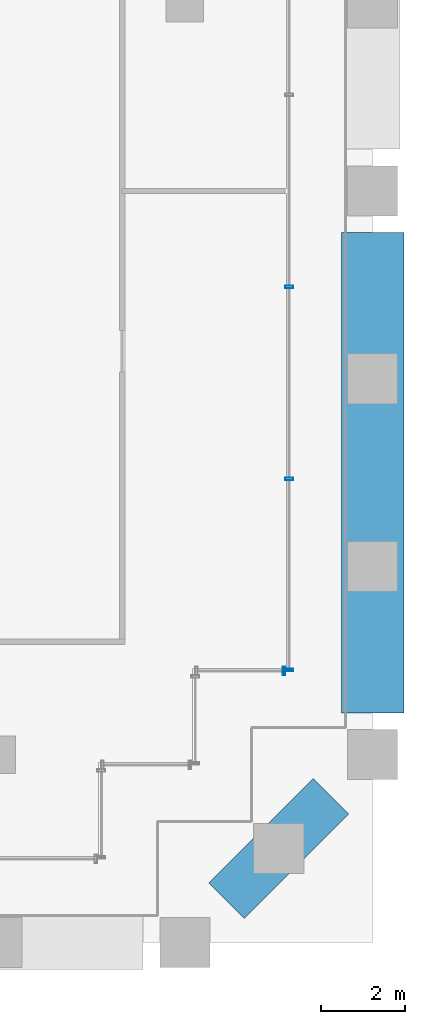
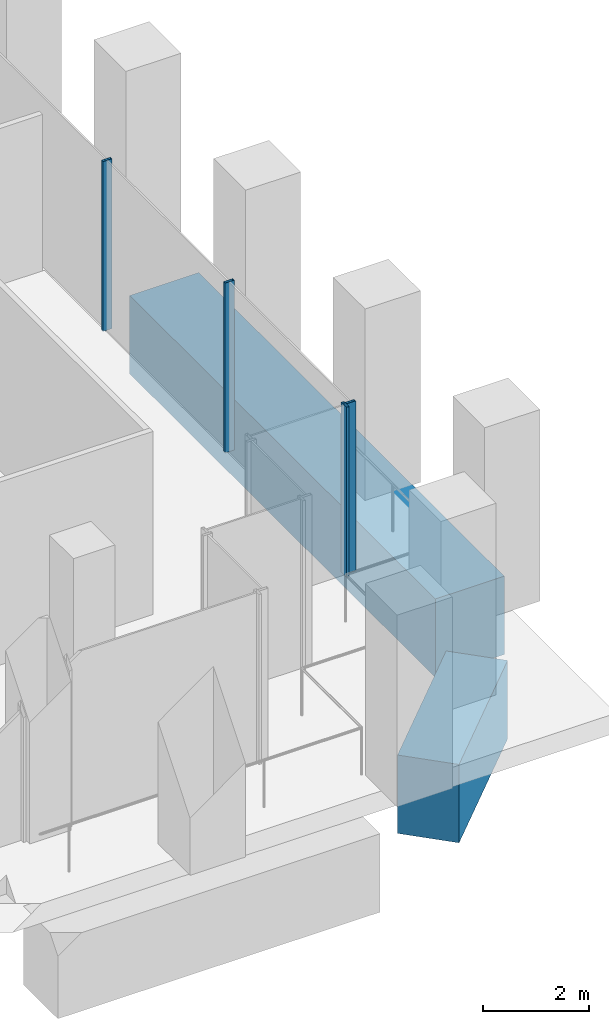
# One storey, part 21 of 32: 4 members, 2 beams, 2 elements without a shape of their own.
"""IFC4 building model written with IfcOpenShell, lengths in metres."""

from ifc_helpers import new_model, si_unit, direction, frame, origin, origin_2d, place, context, subcontext, project, spatial, rectangle, hollow_rectangle, extrude, material, material_profile, profile_set, type_object, element, aggregate, save


model = new_model("IFC4")

# Units and contexts
model_context = context("Model", 3, precision=1e-05, world=origin(), true_north=direction((0.0, 1.0)))
body_context = subcontext(model_context, "Body", "Model", "MODEL_VIEW")
ifc_project = project(units=[si_unit("LENGTHUNIT", "METRE"), si_unit("AREAUNIT", "SQUARE_METRE"), si_unit("VOLUMEUNIT", "CUBIC_METRE"), si_unit("PLANEANGLEUNIT", "RADIAN"), si_unit("MASSUNIT", "GRAM", prefix="KILO")], contexts=[model_context])

# Site, building, storey
site_placement = place(None, origin())
site = spatial("IfcSite", under=ifc_project, at=site_placement, CompositionType="ELEMENT")
building_placement = place(site_placement, origin())
building = spatial("IfcBuilding", under=site, at=building_placement, Name="Altepetl Exchange Towers", CompositionType="ELEMENT")
storey_placement = place(building_placement, frame((0.0, 0.0, 21.0)))
storey = spatial("IfcBuildingStorey", under=building, at=storey_placement, Name="L04", CompositionType="ELEMENT", Elevation=21.0)

# Curtain wall, member
ifc_material_1 = material(Name="Aluminium 6063-T6 glazing", Category="aluminium")
curtain_wall_type = type_object("IfcCurtainWallType", Name="Trading floor glazing system", PredefinedType="NOTDEFINED", material=ifc_material_1)
curtain_wall_1_placement = place(storey_placement, origin())
curtain_wall_1 = element("IfcCurtainWall", 1, at=curtain_wall_1_placement, inside=storey, type_object=curtain_wall_type, Name="CW2 run", PredefinedType="NOTDEFINED")
ifc_material_2 = material(Name="Aluminium 6063-T6", Category="aluminium")
ifc_material_profile_1 = material_profile(ifc_material_2, hollow_rectangle(XDim=0.06005859375, YDim=0.199951171875, WallThickness=0.0029296875, at=origin_2d()), Name="Mullion 60x200 aluminium")
ifc_profile_set_1 = profile_set([ifc_material_profile_1], Name="Aluminium 6063-T6")
member_type = type_object("IfcMemberType", Name="Mullion 60x200 aluminium", PredefinedType="MULLION", material=ifc_profile_set_1)
member_1_placement = place(storey_placement, frame((123.8701171875, 33.5, 0.0)))
member_1 = element("IfcMember", 2, at=member_1_placement, type_object=member_type, Name="MU2 mullion", PredefinedType="MULLION", context=body_context, shape_type="SweptSolid", body=[
    extrude(hollow_rectangle(XDim=0.06005859375, YDim=0.199951171875, WallThickness=0.0029296875, at=origin_2d()), origin(), (0.0, 0.0, 1.0), 3.89990234375),
])
aggregate(curtain_wall_1, [member_1])

# Curtain wall, members
curtain_wall_2_placement = place(storey_placement, origin())
curtain_wall_2 = element("IfcCurtainWall", 3, at=curtain_wall_2_placement, inside=storey, type_object=curtain_wall_type, Name="CW2 run", PredefinedType="NOTDEFINED")
member_2_placement = place(storey_placement, frame((124.0, 33.530029296875, 0.0), z_axis=(0.0, 0.0, 1.0), x_axis=(0.0, 1.0, 0.0)))
member_2 = element("IfcMember", 4, at=member_2_placement, type_object=member_type, Name="MU2 mullion", PredefinedType="MULLION", context=body_context, shape_type="SweptSolid", body=[
    extrude(hollow_rectangle(XDim=0.06005859375, YDim=0.199951171875, WallThickness=0.0029296875, at=origin_2d()), origin(), (0.0, 0.0, 1.0), 3.89990234375),
])
member_3_placement = place(storey_placement, frame((124.0, 38.10009765625, 0.0), z_axis=(0.0, 0.0, 1.0), x_axis=(0.0, 1.0, 0.0)))
member_3 = element("IfcMember", 5, at=member_3_placement, type_object=member_type, Name="MU2 mullion", PredefinedType="MULLION", context=body_context, shape_type="SweptSolid", body=[
    extrude(hollow_rectangle(XDim=0.06005859375, YDim=0.199951171875, WallThickness=0.0029296875, at=origin_2d()), origin(), (0.0, 0.0, 1.0), 3.89990234375),
])
member_4_placement = place(storey_placement, frame((124.0, 42.699951171875, 0.0), z_axis=(0.0, 0.0, 1.0), x_axis=(0.0, 1.0, 0.0)))
member_4 = element("IfcMember", 6, at=member_4_placement, type_object=member_type, Name="MU2 mullion", PredefinedType="MULLION", context=body_context, shape_type="SweptSolid", body=[
    extrude(hollow_rectangle(XDim=0.06005859375, YDim=0.199951171875, WallThickness=0.0029296875, at=origin_2d()), origin(), (0.0, 0.0, 1.0), 3.89990234375),
])
aggregate(curtain_wall_2, [member_2, member_3, member_4])

# Beams
ifc_material_3 = material(Name="Concrete C60/75", Category="concrete")
ifc_material_profile_2 = material_profile(ifc_material_3, rectangle(XDim=1.199951171875, YDim=1.800048828125, at=origin_2d()), Name="1200 x 1800")
ifc_profile_set_2 = profile_set([ifc_material_profile_2], Name="Concrete C60/75")
beam_type_1 = type_object("IfcBeamType", Name="Transfer girder 1200x1800", PredefinedType="BEAM", material=ifc_profile_set_2)
beam_1_placement = place(storey_placement, frame((122.5, 28.0, -1.35009765625), z_axis=(0.707106781187, 0.707106781187, 0.0), x_axis=(-0.707106781187, 0.707106781187, 0.0)))
element("IfcBeam", 7, at=beam_1_placement, inside=storey, type_object=beam_type_1, Name="bm:B:L04:tg09", PredefinedType="BEAM", context=body_context, shape_type="SweptSolid", body=[
    extrude(rectangle(XDim=1.199951171875, YDim=1.800048828125, at=origin_2d()), origin(), (0.0, 0.0, 1.0), 3.53564453125),
])
ifc_material_profile_3 = material_profile(ifc_material_3, rectangle(XDim=1.5, YDim=1.800048828125, at=origin_2d()), Name="1500 x 1800")
ifc_profile_set_3 = profile_set([ifc_material_profile_3], Name="Concrete C60/75")
beam_type_2 = type_object("IfcBeamType", Name="Transfer girder 1500x1800", PredefinedType="BEAM", material=ifc_profile_set_3)
beam_2_placement = place(storey_placement, frame((126.0, 32.5, -1.35009765625), z_axis=(0.0, 1.0, 0.0), x_axis=(-1.0, 0.0, 0.0)))
element("IfcBeam", 8, at=beam_2_placement, inside=storey, type_object=beam_type_2, Name="bm:B:L04:tg02", PredefinedType="BEAM", context=body_context, shape_type="SweptSolid", body=[
    extrude(rectangle(XDim=1.5, YDim=1.800048828125, at=origin_2d()), origin(), (0.0, 0.0, 1.0), 11.5),
])

save(model, "model.ifc")
